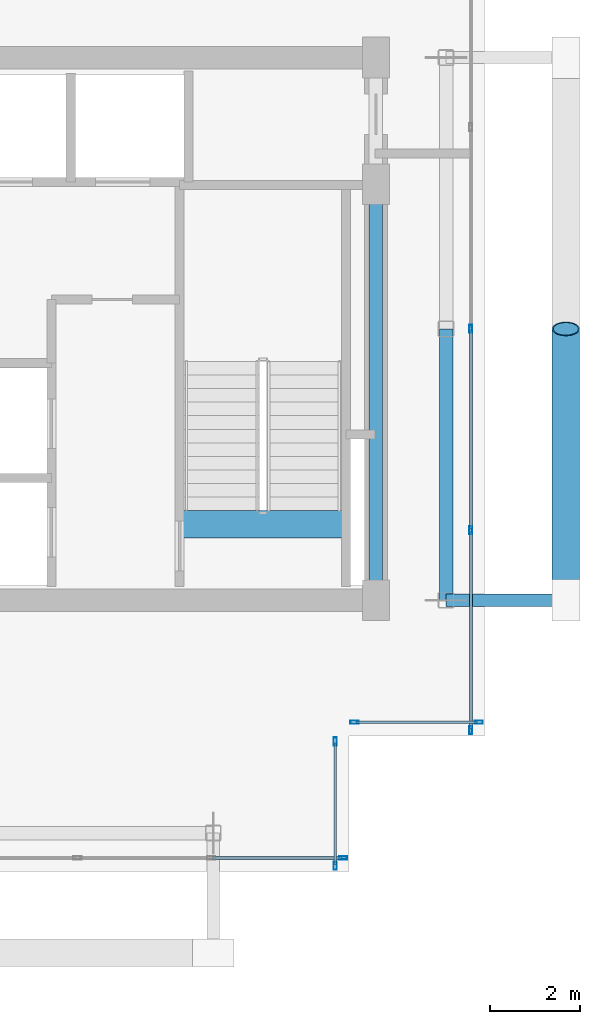
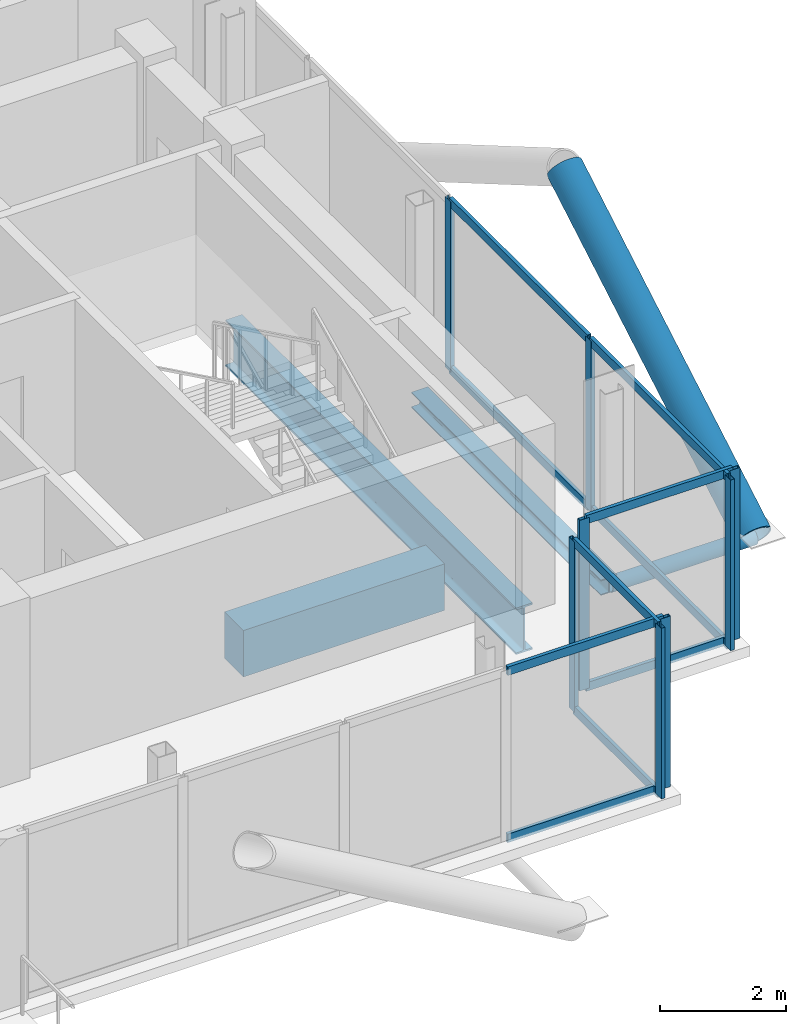
# One storey, part 11 of 18: 20 members, 3 beams, 4 elements without a shape of their own.
"""IFC4 building model written with IfcOpenShell, lengths in metres."""

from ifc_helpers import new_model, si_unit, direction, frame, origin, origin_2d, place, context, subcontext, project, spatial, rectangle, hollow_rectangle, hollow_circle, i_section, extrude, material, layer, layer_set, material_profile, profile_set, type_object, element, aggregate, save


model = new_model("IFC4")

# Units and contexts
model_context = context("Model", 3, precision=1e-05, world=origin(), true_north=direction((0.0, 1.0)))
body_context = subcontext(model_context, "Body", "Model", "MODEL_VIEW")
ifc_project = project(units=[si_unit("LENGTHUNIT", "METRE"), si_unit("AREAUNIT", "SQUARE_METRE"), si_unit("VOLUMEUNIT", "CUBIC_METRE"), si_unit("PLANEANGLEUNIT", "RADIAN"), si_unit("MASSUNIT", "GRAM", prefix="KILO"), si_unit("THERMODYNAMICTEMPERATUREUNIT", "KELVIN"), si_unit("POWERUNIT", "WATT")], contexts=[model_context])

# Site, building, storey
site_placement = place(None, origin())
site = spatial("IfcSite", under=ifc_project, at=site_placement, CompositionType="ELEMENT")
building_placement = place(site_placement, origin())
building = spatial("IfcBuilding", under=site, at=building_placement, Name="Svarakhadi Broadcast Tower", CompositionType="ELEMENT")
storey_placement = place(building_placement, frame((0.0, 0.0, 278.199951171875)))
storey = spatial("IfcBuildingStorey", under=building, at=storey_placement, Name="L70", CompositionType="ELEMENT", Elevation=278.199951171875)

# Curtain wall, members
ifc_material_1 = material(Name="Anodised Bronze Aluminium AA 6063-T6", Category="aluminium")
ifc_layer = layer(ifc_material_1, 0.179931640625)
ifc_layer_set = layer_set([ifc_layer], Name="Anodised Bronze Aluminium AA 6063-T6")
curtain_wall_type = type_object("IfcCurtainWallType", Name="CW_Sys_05", PredefinedType="NOTDEFINED", material=ifc_layer_set)
curtain_wall_1_placement = place(storey_placement, origin())
curtain_wall_1 = element("IfcCurtainWall", 1, at=curtain_wall_1_placement, inside=storey, type_object=curtain_wall_type, Name="L70 Unitised Facade Curtain Wall 13", PredefinedType="NOTDEFINED")
ifc_material_profile_1 = material_profile(ifc_material_1, hollow_rectangle(XDim=0.070068359375, YDim=0.179931640625, WallThickness=0.005615234375, at=origin_2d()), Name="ALU MULLION 180x70x6")
ifc_profile_set_1 = profile_set([ifc_material_profile_1], Name="Anodised Bronze Aluminium AA 6063-T6")
member_type_1 = type_object("IfcMemberType", Name="CW_Sys_05_Mul", PredefinedType="MULLION", material=ifc_profile_set_1)
member_1_placement = place(storey_placement, frame((35.699951171875, 12.0, 0.0), z_axis=(0.0, 0.0, 1.0), x_axis=(1.0, 0.0, 0.0)))
member_1 = element("IfcMember", 2, at=member_1_placement, type_object=member_type_1, Name="CW-05 mullion 3", PredefinedType="MULLION", context=body_context, shape_type="SweptSolid", body=[
    extrude(hollow_rectangle(XDim=0.070068359375, YDim=0.179931640625, WallThickness=0.005615234375, at=origin_2d()), origin(), (0.0, 0.0, 1.0), 3.300048828125),
])
member_2_placement = place(storey_placement, frame((35.699951171875, 7.544921875, 0.0), z_axis=(0.0, 0.0, 1.0), x_axis=(1.0, 0.0, 0.0)))
member_2 = element("IfcMember", 3, at=member_2_placement, type_object=member_type_1, Name="CW-05 mullion 4", PredefinedType="MULLION", context=body_context, shape_type="SweptSolid", body=[
    extrude(hollow_rectangle(XDim=0.070068359375, YDim=0.179931640625, WallThickness=0.005615234375, at=origin_2d()), origin(), (0.0, 0.0, 1.0), 3.300048828125),
])
member_3_placement = place(storey_placement, frame((35.699951171875, 3.125, 0.0), z_axis=(0.0, 0.0, 1.0), x_axis=(1.0, 0.0, 0.0)))
member_3 = element("IfcMember", 4, at=member_3_placement, type_object=member_type_1, Name="CW-05 mullion 5", PredefinedType="MULLION", context=body_context, shape_type="SweptSolid", body=[
    extrude(hollow_rectangle(XDim=0.070068359375, YDim=0.179931640625, WallThickness=0.005615234375, at=origin_2d()), origin(), (0.0, 0.0, 1.0), 3.300048828125),
])

curtain_wall_2_placement = place(storey_placement, origin())
curtain_wall_2 = element("IfcCurtainWall", 5, at=curtain_wall_2_placement, inside=storey, type_object=curtain_wall_type, Name="L70 Unitised Facade Curtain Wall 14", PredefinedType="NOTDEFINED")
member_4_placement = place(storey_placement, frame((35.875, 3.300048828125, 0.0), z_axis=(0.0, 0.0, 1.0), x_axis=(0.0, -1.0, 0.0)))
member_4 = element("IfcMember", 6, at=member_4_placement, type_object=member_type_1, Name="CW-05 mullion 1", PredefinedType="MULLION", context=body_context, shape_type="SweptSolid", body=[
    extrude(hollow_rectangle(XDim=0.070068359375, YDim=0.179931640625, WallThickness=0.005615234375, at=origin_2d()), origin(), (0.0, 0.0, 1.0), 3.300048828125),
])
member_5_placement = place(storey_placement, frame((33.125, 3.300048828125, 0.0), z_axis=(0.0, 0.0, 1.0), x_axis=(0.0, -1.0, 0.0)))
member_5 = element("IfcMember", 7, at=member_5_placement, type_object=member_type_1, Name="CW-05 mullion 2", PredefinedType="MULLION", context=body_context, shape_type="SweptSolid", body=[
    extrude(hollow_rectangle(XDim=0.070068359375, YDim=0.179931640625, WallThickness=0.005615234375, at=origin_2d()), origin(), (0.0, 0.0, 1.0), 3.300048828125),
])

curtain_wall_3_placement = place(storey_placement, origin())
curtain_wall_3 = element("IfcCurtainWall", 8, at=curtain_wall_3_placement, inside=storey, type_object=curtain_wall_type, Name="L70 Unitised Facade Curtain Wall 15", PredefinedType="NOTDEFINED")
member_6_placement = place(storey_placement, frame((32.699951171875, 2.875, 0.0), z_axis=(0.0, 0.0, 1.0), x_axis=(1.0, 0.0, 0.0)))
member_6 = element("IfcMember", 9, at=member_6_placement, type_object=member_type_1, Name="CW-05 mullion 1", PredefinedType="MULLION", context=body_context, shape_type="SweptSolid", body=[
    extrude(hollow_rectangle(XDim=0.070068359375, YDim=0.179931640625, WallThickness=0.005615234375, at=origin_2d()), origin(), (0.0, 0.0, 1.0), 3.300048828125),
])
member_7_placement = place(storey_placement, frame((32.699951171875, 0.125, 0.0), z_axis=(0.0, 0.0, 1.0), x_axis=(1.0, 0.0, 0.0)))
member_7 = element("IfcMember", 10, at=member_7_placement, type_object=member_type_1, Name="CW-05 mullion 2", PredefinedType="MULLION", context=body_context, shape_type="SweptSolid", body=[
    extrude(hollow_rectangle(XDim=0.070068359375, YDim=0.179931640625, WallThickness=0.005615234375, at=origin_2d()), origin(), (0.0, 0.0, 1.0), 3.300048828125),
])

# Curtain wall, member
curtain_wall_4_placement = place(storey_placement, origin())
curtain_wall_4 = element("IfcCurtainWall", 11, at=curtain_wall_4_placement, inside=storey, type_object=curtain_wall_type, Name="L70 South Curtain Wall 16", PredefinedType="NOTDEFINED")
member_8_placement = place(storey_placement, frame((32.875, 0.300048828125, 0.0), z_axis=(0.0, 0.0, 1.0), x_axis=(0.0, -1.0, 0.0)))
member_8 = element("IfcMember", 12, at=member_8_placement, type_object=member_type_1, Name="CW-05 mullion 1", PredefinedType="MULLION", context=body_context, shape_type="SweptSolid", body=[
    extrude(hollow_rectangle(XDim=0.070068359375, YDim=0.179931640625, WallThickness=0.005615234375, at=origin_2d()), origin(), (0.0, 0.0, 1.0), 3.300048828125),
])

# Member
ifc_material_profile_2 = material_profile(ifc_material_1, hollow_rectangle(XDim=0.06494140625, YDim=0.1650390625, WallThickness=0.0048828125, at=origin_2d()), Name="ALU TRANSOM 165x65x5")
ifc_profile_set_2 = profile_set([ifc_material_profile_2], Name="Anodised Bronze Aluminium AA 6063-T6")
member_type_2 = type_object("IfcMemberType", Name="CW_Sys_05_Trn", PredefinedType="USERDEFINED", material=ifc_profile_set_2)
member_9_placement = place(storey_placement, frame((35.699951171875, 11.965087890625, 0.032470703125), z_axis=(0.0, -1.0, 0.0), x_axis=(1.0, 0.0, 0.0)))
member_9 = element("IfcMember", 13, at=member_9_placement, type_object=member_type_2, Name="CW-05 transom 3.1", ObjectType="TRANSOM", PredefinedType="USERDEFINED", context=body_context, shape_type="SweptSolid", body=[
    extrude(hollow_rectangle(XDim=0.06494140625, YDim=0.1650390625, WallThickness=0.0048828125, at=origin_2d()), origin(), (0.0, 0.0, 1.0), 4.385009765625),
])

member_10_placement = place(storey_placement, frame((35.699951171875, 11.965087890625, 3.267578125), z_axis=(0.0, -1.0, 0.0), x_axis=(1.0, 0.0, 0.0)))
member_10 = element("IfcMember", 14, at=member_10_placement, type_object=member_type_2, Name="CW-05 transom 3.2", ObjectType="TRANSOM", PredefinedType="USERDEFINED", context=body_context, shape_type="SweptSolid", body=[
    extrude(hollow_rectangle(XDim=0.06494140625, YDim=0.1650390625, WallThickness=0.0048828125, at=origin_2d()), origin(), (0.0, 0.0, 1.0), 4.385009765625),
])

member_11_placement = place(storey_placement, frame((35.699951171875, 7.510009765625, 0.032470703125), z_axis=(0.0, -1.0, 0.0), x_axis=(1.0, 0.0, 0.0)))
member_11 = element("IfcMember", 15, at=member_11_placement, type_object=member_type_2, Name="CW-05 transom 4.1", ObjectType="TRANSOM", PredefinedType="USERDEFINED", context=body_context, shape_type="SweptSolid", body=[
    extrude(hollow_rectangle(XDim=0.06494140625, YDim=0.1650390625, WallThickness=0.0048828125, at=origin_2d()), origin(), (0.0, 0.0, 1.0), 4.35009765625),
])

member_12_placement = place(storey_placement, frame((35.699951171875, 7.510009765625, 3.267578125), z_axis=(0.0, -1.0, 0.0), x_axis=(1.0, 0.0, 0.0)))
member_12 = element("IfcMember", 16, at=member_12_placement, type_object=member_type_2, Name="CW-05 transom 4.2", ObjectType="TRANSOM", PredefinedType="USERDEFINED", context=body_context, shape_type="SweptSolid", body=[
    extrude(hollow_rectangle(XDim=0.06494140625, YDim=0.1650390625, WallThickness=0.0048828125, at=origin_2d()), origin(), (0.0, 0.0, 1.0), 4.35009765625),
])

aggregate(curtain_wall_1, [member_1, member_2, member_3, member_9, member_10, member_11, member_12])

member_13_placement = place(storey_placement, frame((35.840087890625, 3.300048828125, 0.032470703125), z_axis=(-1.0, 0.0, 0.0), x_axis=(0.0, -1.0, 0.0)))
member_13 = element("IfcMember", 17, at=member_13_placement, type_object=member_type_2, Name="CW-05 transom 1.1", ObjectType="TRANSOM", PredefinedType="USERDEFINED", context=body_context, shape_type="SweptSolid", body=[
    extrude(hollow_rectangle(XDim=0.06494140625, YDim=0.1650390625, WallThickness=0.0048828125, at=origin_2d()), origin(), (0.0, 0.0, 1.0), 2.68017578125),
])

member_14_placement = place(storey_placement, frame((35.840087890625, 3.300048828125, 3.267578125), z_axis=(-1.0, 0.0, 0.0), x_axis=(0.0, -1.0, 0.0)))
member_14 = element("IfcMember", 18, at=member_14_placement, type_object=member_type_2, Name="CW-05 transom 1.2", ObjectType="TRANSOM", PredefinedType="USERDEFINED", context=body_context, shape_type="SweptSolid", body=[
    extrude(hollow_rectangle(XDim=0.06494140625, YDim=0.1650390625, WallThickness=0.0048828125, at=origin_2d()), origin(), (0.0, 0.0, 1.0), 2.68017578125),
])

aggregate(curtain_wall_2, [member_4, member_5, member_13, member_14])

member_15_placement = place(storey_placement, frame((32.699951171875, 2.840087890625, 0.032470703125), z_axis=(0.0, -1.0, 0.0), x_axis=(1.0, 0.0, 0.0)))
member_15 = element("IfcMember", 19, at=member_15_placement, type_object=member_type_2, Name="CW-05 transom 1.1", ObjectType="TRANSOM", PredefinedType="USERDEFINED", context=body_context, shape_type="SweptSolid", body=[
    extrude(hollow_rectangle(XDim=0.06494140625, YDim=0.1650390625, WallThickness=0.0048828125, at=origin_2d()), origin(), (0.0, 0.0, 1.0), 2.68017578125),
])

member_16_placement = place(storey_placement, frame((32.699951171875, 2.840087890625, 3.267578125), z_axis=(0.0, -1.0, 0.0), x_axis=(1.0, 0.0, 0.0)))
member_16 = element("IfcMember", 20, at=member_16_placement, type_object=member_type_2, Name="CW-05 transom 1.2", ObjectType="TRANSOM", PredefinedType="USERDEFINED", context=body_context, shape_type="SweptSolid", body=[
    extrude(hollow_rectangle(XDim=0.06494140625, YDim=0.1650390625, WallThickness=0.0048828125, at=origin_2d()), origin(), (0.0, 0.0, 1.0), 2.68017578125),
])

aggregate(curtain_wall_3, [member_6, member_7, member_15, member_16])

member_17_placement = place(storey_placement, frame((32.840087890625, 0.300048828125, 0.032470703125), z_axis=(-1.0, 0.0, 0.0), x_axis=(0.0, -1.0, 0.0)))
member_17 = element("IfcMember", 21, at=member_17_placement, type_object=member_type_2, Name="CW-05 transom 1.1", ObjectType="TRANSOM", PredefinedType="USERDEFINED", context=body_context, shape_type="SweptSolid", body=[
    extrude(hollow_rectangle(XDim=0.06494140625, YDim=0.1650390625, WallThickness=0.0048828125, at=origin_2d()), origin(), (0.0, 0.0, 1.0), 2.85009765625),
])

member_18_placement = place(storey_placement, frame((32.840087890625, 0.300048828125, 3.267578125), z_axis=(-1.0, 0.0, 0.0), x_axis=(0.0, -1.0, 0.0)))
member_18 = element("IfcMember", 22, at=member_18_placement, type_object=member_type_2, Name="CW-05 transom 1.2", ObjectType="TRANSOM", PredefinedType="USERDEFINED", context=body_context, shape_type="SweptSolid", body=[
    extrude(hollow_rectangle(XDim=0.06494140625, YDim=0.1650390625, WallThickness=0.0048828125, at=origin_2d()), origin(), (0.0, 0.0, 1.0), 2.85009765625),
])

aggregate(curtain_wall_4, [member_8, member_17, member_18])

# Beam
ifc_material_2 = material(Name="Concrete C50/60 (IS 456 M60)", Category="concrete")
ifc_material_profile_3 = material_profile(ifc_material_2, rectangle(XDim=0.60009765625, YDim=0.89990234375, at=origin_2d()), Name="RC 600x900")
ifc_profile_set_3 = profile_set([ifc_material_profile_3], Name="Concrete C50/60 (IS 456 M60)")
beam_type_1 = type_object("IfcBeamType", Name="Coupling_RC600", PredefinedType="USERDEFINED", material=ifc_profile_set_3)
beam_1_placement = place(storey_placement, frame((29.260009765625, 7.679931640625, -0.449951171875), z_axis=(1.0, 0.0, 0.0), x_axis=(0.0, 1.0, 0.0)))
element("IfcBeam", 23, at=beam_1_placement, inside=storey, type_object=beam_type_1, Name="L70 Stair ST-02 Landing Throat Trimmer Beam CB-01", ObjectType="GIRDER", PredefinedType="USERDEFINED", context=body_context, shape_type="SweptSolid", body=[
    extrude(rectangle(XDim=0.60009765625, YDim=0.89990234375, at=origin_2d()), origin(), (0.0, 0.0, 1.0), 3.679931640625),
])

# Members
ifc_material_3 = material(Name="Steel S460ML (IS 2062 E450BR)", Category="steel")
ifc_material_profile_4 = material_profile(ifc_material_3, hollow_circle(Radius=0.304931640625, WallThickness=0.030029296875, at=origin_2d()), Name="CHS 610x30")
ifc_profile_set_4 = profile_set([ifc_material_profile_4], Name="Steel S460ML (IS 2062 E450BR)")
member_type_3 = type_object("IfcMemberType", Name="Exo_Brace_CHS610", PredefinedType="BRACE", material=ifc_profile_set_4)
member_19_placement = place(storey_placement, frame((37.800048828125, 6.0, -0.33642578125), z_axis=(0.0, 0.863778900898, 0.503871025524), x_axis=(-1.0, 0.0, 0.0)))
element("IfcMember", 24, at=member_19_placement, inside=storey, type_object=member_type_3, Name="L70 Exposed Bronze Exoskeleton Diagonal E02", PredefinedType="BRACE", context=body_context, shape_type="SweptSolid", body=[
    extrude(hollow_circle(Radius=0.304931640625, WallThickness=0.030029296875, at=origin_2d()), origin(), (0.0, 0.0, 1.0), 6.9462890625),
])
ifc_material_profile_5 = material_profile(ifc_material_3, hollow_circle(Radius=0.136474609375, WallThickness=0.012451171875, at=origin_2d()), Name="CHS 273x12.5")
ifc_profile_set_5 = profile_set([ifc_material_profile_5], Name="Steel S460ML (IS 2062 E450BR)")
member_type_4 = type_object("IfcMemberType", Name="Exo_Radial_Strut_Z3", PredefinedType="STRUT", material=ifc_profile_set_5)
member_20_placement = place(storey_placement, frame((37.800048828125, 6.0, -0.33642578125), z_axis=(-1.0, 0.0, 0.0), x_axis=(0.0, -1.0, 0.0)))
element("IfcMember", 25, at=member_20_placement, inside=storey, type_object=member_type_4, Name="L70 Exoskeleton Radial Tie Strut E05", PredefinedType="STRUT", context=body_context, shape_type="SweptSolid", body=[
    extrude(hollow_circle(Radius=0.136474609375, WallThickness=0.012451171875, at=origin_2d()), origin(), (0.0, 0.0, 1.0), 2.650146484375),
])

# Beams
ifc_material_4 = material(Name="Steel S355J2 (IS 2062 E350C)", Category="steel")
ifc_material_profile_6 = material_profile(ifc_material_4, i_section(OverallWidth=0.300048828125, OverallDepth=0.300048828125, WebThickness=0.010986328125, FlangeThickness=0.01904296875, FilletRadius=0.027099609375, at=origin_2d()), Name="WPB 300x300x117")
ifc_profile_set_6 = profile_set([ifc_material_profile_6], Name="Steel S355J2 (IS 2062 E350C)")
beam_type_2 = type_object("IfcBeamType", Name="Girder_WPB300", PredefinedType="USERDEFINED", material=ifc_profile_set_6)
beam_2_placement = place(storey_placement, frame((35.14990234375, 6.0, -0.349853515625), z_axis=(0.0, 1.0, 0.0), x_axis=(-1.0, 0.0, 0.0)))
element("IfcBeam", 26, at=beam_2_placement, inside=storey, type_object=beam_type_2, Name="L70 Primary N-S Girder G045", ObjectType="GIRDER", PredefinedType="USERDEFINED", context=body_context, shape_type="SweptSolid", body=[
    extrude(i_section(OverallWidth=0.300048828125, OverallDepth=0.300048828125, WebThickness=0.010986328125, FlangeThickness=0.01904296875, FilletRadius=0.027099609375, at=origin_2d()), origin(), (0.0, 0.0, 1.0), 6.0),
])
ifc_material_profile_7 = material_profile(ifc_material_3, i_section(OverallWidth=0.300048828125, OverallDepth=0.89990234375, WebThickness=0.0185546875, FlangeThickness=0.034912109375, FilletRadius=0.030029296875, at=origin_2d()), Name="WPB 900x300x291")
ifc_profile_set_7 = profile_set([ifc_material_profile_7], Name="Steel S460ML (IS 2062 E450BR)")
beam_type_3 = type_object("IfcBeamType", Name="Girder_WPB900", PredefinedType="USERDEFINED", material=ifc_profile_set_7)
beam_3_placement = place(storey_placement, frame((33.60009765625, 6.0, -0.64990234375), z_axis=(0.0, 1.0, 0.0), x_axis=(-1.0, 0.0, 0.0)))
element("IfcBeam", 27, at=beam_3_placement, inside=storey, type_object=beam_type_3, Name="L70 Primary N-S Girder G043", ObjectType="GIRDER", PredefinedType="USERDEFINED", context=body_context, shape_type="SweptSolid", body=[
    extrude(i_section(OverallWidth=0.300048828125, OverallDepth=0.89990234375, WebThickness=0.0185546875, FlangeThickness=0.034912109375, FilletRadius=0.030029296875, at=origin_2d()), origin(), (0.0, 0.0, 1.0), 9.199951171875),
])

save(model, "model.ifc")
